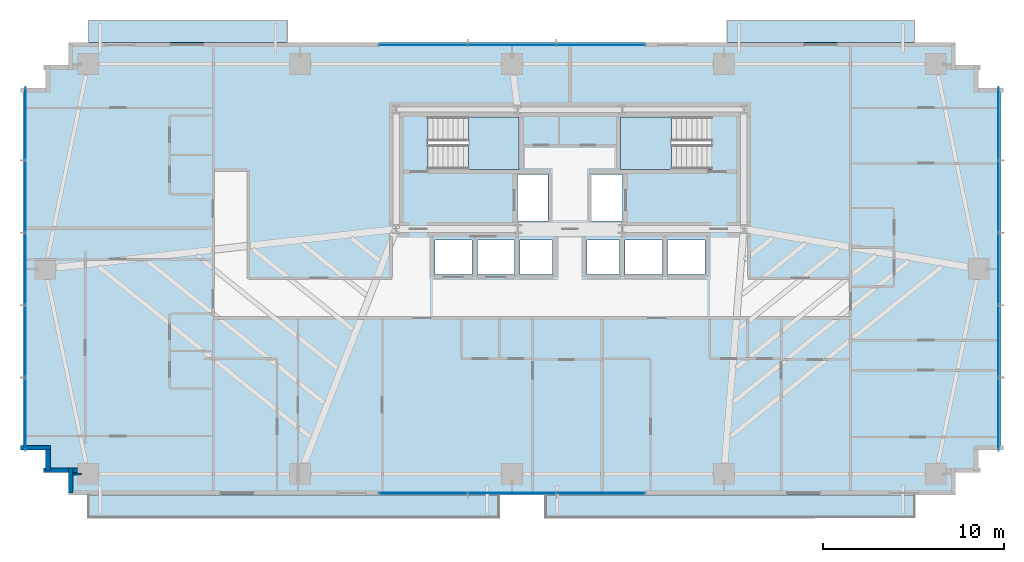
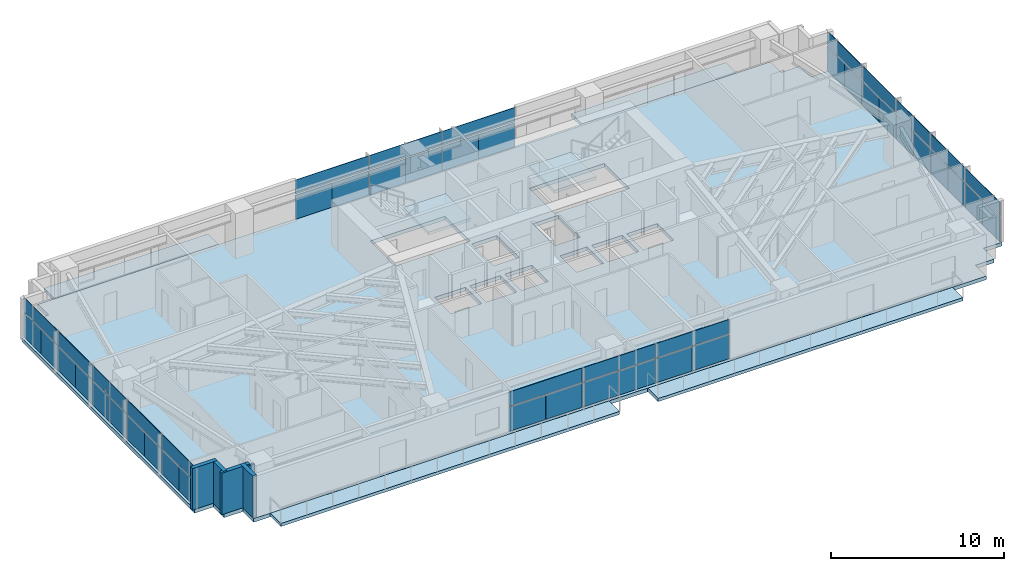
# One storey, part 18 of 25: 48 plates, 7 slabs, 5 walls, 6 elements without a shape of their own.
"""IFC4 building model written with IfcOpenShell, lengths in metres."""

from ifc_helpers import new_model, si_unit, direction, frame, frame_2d, origin, origin_2d, place, context, subcontext, project, spatial, polyline, rectangle, outline, extrude, source, transform, mapped, material, layer, layer_set, type_object, type_shapes, element, aggregate, save


model = new_model("IFC4")

# Units and contexts
model_context = context("Model", 3, precision=1e-05, world=origin(), true_north=direction((0.0, 1.0)))
body_context = subcontext(model_context, "Body", "Model", "MODEL_VIEW")
ifc_project = project(units=[si_unit("LENGTHUNIT", "METRE"), si_unit("AREAUNIT", "SQUARE_METRE"), si_unit("VOLUMEUNIT", "CUBIC_METRE"), si_unit("PLANEANGLEUNIT", "RADIAN"), si_unit("MASSUNIT", "GRAM", prefix="KILO")], contexts=[model_context])

# Site, building, storey
site_placement = place(None, origin())
site = spatial("IfcSite", under=ifc_project, at=site_placement, CompositionType="ELEMENT")
building_placement = place(site_placement, origin())
building = spatial("IfcBuilding", under=site, at=building_placement, Name="Astriad Promenade Condominiums", CompositionType="ELEMENT")
storey_placement = place(building_placement, frame((0.0, 0.0, 32.60009765625)))
storey = spatial("IfcBuildingStorey", under=building, at=storey_placement, Name="L08", CompositionType="ELEMENT", Elevation=32.60009765625)

# Slab
ifc_material_1 = material(Name="Concrete C50/60", Category="concrete")
ifc_layer_1 = layer(ifc_material_1, 0.260009765625)
ifc_layer_set_1 = layer_set([ifc_layer_1], Name="Concrete C50/60")
slab_type_1 = type_object("IfcSlabType", Name="CONCRETE TOWER FLOOR SLAB 260", PredefinedType="FLOOR", material=ifc_layer_set_1)
slab_1_placement = place(storey_placement, frame((0.0, 0.0, -0.260009765625)))
element("IfcSlab", 1, at=slab_1_placement, inside=storey, type_object=slab_type_1, Name="Structural Floor Slab (L08)", PredefinedType="FLOOR", context=body_context, shape_type="SweptSolid", body=[
    extrude(outline(polyline([(8.300048828125, 2.699951171875), (57.300048828125, 2.699951171875), (57.300048828125, 3.949951171875), (58.550048828125, 3.949951171875), (58.550048828125, 5.199951171875), (59.800048828125, 5.199951171875), (59.800048828125, 25.199951171875), (58.550048828125, 25.199951171875), (58.550048828125, 26.449951171875), (57.300048828125, 26.449951171875), (57.300048828125, 27.699951171875), (8.300048828125, 27.699951171875), (8.300048828125, 26.449951171875), (7.050048828125, 26.449951171875), (7.050048828125, 25.199951171875), (5.800048828125, 25.199951171875), (5.800048828125, 5.199951171875), (7.050048828125, 5.199951171875), (7.050048828125, 3.949951171875), (8.300048828125, 3.949951171875), (8.300048828125, 2.699951171875)]), holes=[polyline([(28.175048828125, 20.699951171875), (33.175048828125, 20.699951171875), (33.175048828125, 23.60009765625), (28.175048828125, 23.60009765625), (28.175048828125, 20.699951171875)]), polyline([(38.824951171875, 20.699951171875), (43.824951171875, 20.699951171875), (43.824951171875, 23.60009765625), (38.824951171875, 23.60009765625), (38.824951171875, 20.699951171875)]), polyline([(33.10009765625, 17.85009765625), (34.800048828125, 17.85009765625), (34.800048828125, 20.39990234375), (33.10009765625, 20.39990234375), (33.10009765625, 17.85009765625)]), polyline([(37.199951171875, 17.85009765625), (38.89990234375, 17.85009765625), (38.89990234375, 20.39990234375), (37.199951171875, 20.39990234375), (37.199951171875, 17.85009765625)]), polyline([(28.550048828125, 14.89990234375), (30.60009765625, 14.89990234375), (30.60009765625, 16.800048828125), (28.550048828125, 16.800048828125), (28.550048828125, 14.89990234375)]), polyline([(30.89990234375, 14.89990234375), (32.949951171875, 14.89990234375), (32.949951171875, 16.800048828125), (30.89990234375, 16.800048828125), (30.89990234375, 14.89990234375)]), polyline([(33.25, 14.89990234375), (35.050048828125, 14.89990234375), (35.050048828125, 16.800048828125), (33.25, 16.800048828125), (33.25, 14.89990234375)]), polyline([(36.949951171875, 14.89990234375), (38.75, 14.89990234375), (38.75, 16.800048828125), (36.949951171875, 16.800048828125), (36.949951171875, 14.89990234375)]), polyline([(39.050048828125, 14.89990234375), (41.10009765625, 14.89990234375), (41.10009765625, 16.800048828125), (39.050048828125, 16.800048828125), (39.050048828125, 14.89990234375)]), polyline([(41.39990234375, 14.89990234375), (43.449951171875, 14.89990234375), (43.449951171875, 16.800048828125), (41.39990234375, 16.800048828125), (41.39990234375, 14.89990234375)])]), origin(), (0.0, 0.0, 1.0), 0.260009765625),
])

# Stair, slab
stair_type = type_object("IfcStairType", Name="STR-CORE-1350", PredefinedType="HALF_TURN_STAIR", material=ifc_material_1)
stair_1_placement = place(storey_placement, origin())
stair_1 = element("IfcStair", 2, at=stair_1_placement, inside=storey, type_object=stair_type, Name="L08 Enclosed Core Exit Stair ST-1", PredefinedType="HALF_TURN_STAIR")
ifc_layer_2 = layer(ifc_material_1, 0.219970703125)
ifc_layer_set_2 = layer_set([ifc_layer_2], Name="Concrete C50/60")
slab_type_2 = type_object("IfcSlabType", Name="SLB-LANDING-220", PredefinedType="LANDING", material=ifc_layer_set_2)
slab_2_placement = place(storey_placement, frame((0.0, 0.0, 1.39990234375)))
slab_2 = element("IfcSlab", 3, at=slab_2_placement, type_object=slab_type_2, Name="ST-1 landing 1", PredefinedType="LANDING", context=body_context, shape_type="SweptSolid", body=[
    extrude(outline(polyline([(30.389892578125, 20.699951171875), (33.199951171875, 20.699951171875), (33.199951171875, 23.60009765625), (30.389892578125, 23.60009765625), (30.389892578125, 20.699951171875)])), origin(), (0.0, 0.0, 1.0), 0.199951171875),
])
aggregate(stair_1, [slab_2])

stair_2_placement = place(storey_placement, origin())
stair_2 = element("IfcStair", 4, at=stair_2_placement, inside=storey, type_object=stair_type, Name="L08 Enclosed Core Exit Stair ST-2", PredefinedType="HALF_TURN_STAIR")
slab_3_placement = place(storey_placement, frame((0.0, 0.0, 1.39990234375)))
slab_3 = element("IfcSlab", 5, at=slab_3_placement, type_object=slab_type_2, Name="ST-2 landing 1", PredefinedType="LANDING", context=body_context, shape_type="SweptSolid", body=[
    extrude(outline(polyline([(41.610107421875, 23.60009765625), (38.800048828125, 23.60009765625), (38.800048828125, 20.699951171875), (41.610107421875, 20.699951171875), (41.610107421875, 23.60009765625)])), origin(), (0.0, 0.0, 1.0), 0.199951171875),
])
aggregate(stair_2, [slab_3])

# Slabs
ifc_material_2 = material(Name="Precast concrete C50/60", Category="concrete")
ifc_layer_3 = layer(ifc_material_2, 0.219970703125)
ifc_layer_set_3 = layer_set([ifc_layer_3], Name="Precast concrete C50/60")
slab_type_3 = type_object("IfcSlabType", Name="WHITE PRECAST CONCRETE WAVE BALCONY SLAB 220", PredefinedType="FLOOR", material=ifc_layer_set_3)
slab_4_placement = place(storey_placement, frame((0.0, 0.0, -0.22021484375)))
element("IfcSlab", 6, at=slab_4_placement, inside=storey, type_object=slab_type_3, Name="White Precast Wave Balcony Slab BAL-L08-SW", PredefinedType="FLOOR", context=body_context, shape_type="SweptSolid", body=[
    extrude(outline(polyline([(32.077880859375, 1.47998046875), (9.4140625, 1.47998046875), (9.4140625, 2.697998046875), (32.077880859375, 2.697998046875), (32.077880859375, 1.47998046875)])), origin(), (0.0, 0.0, 1.0), 0.22021484375),
])
slab_5_placement = place(storey_placement, frame((0.0, 0.0, -0.22021484375)))
element("IfcSlab", 7, at=slab_5_placement, inside=storey, type_object=slab_type_3, Name="White Precast Wave Balcony Slab BAL-L08-SE", PredefinedType="FLOOR", context=body_context, shape_type="SweptSolid", body=[
    extrude(outline(polyline([(55.027099609375, 1.47998046875), (34.656005859375, 1.47998046875), (34.656005859375, 2.697998046875), (55.027099609375, 2.697998046875), (55.027099609375, 1.47998046875)])), origin(), (0.0, 0.0, 1.0), 0.22021484375),
])
slab_6_placement = place(storey_placement, frame((0.0, 0.0, -0.22021484375)))
element("IfcSlab", 8, at=slab_6_placement, inside=storey, type_object=slab_type_3, Name="White Precast Wave Balcony Slab BAL-L08-NW", PredefinedType="FLOOR", context=body_context, shape_type="SweptSolid", body=[
    extrude(outline(polyline([(9.4140625, 28.919921875), (20.389892578125, 28.919921875), (20.389892578125, 27.701904296875), (9.4140625, 27.701904296875), (9.4140625, 28.919921875)])), origin(), (0.0, 0.0, 1.0), 0.22021484375),
])
slab_7_placement = place(storey_placement, frame((0.0, 0.0, -0.22021484375)))
element("IfcSlab", 9, at=slab_7_placement, inside=storey, type_object=slab_type_3, Name="White Precast Wave Balcony Slab BAL-L08-NE", PredefinedType="FLOOR", context=body_context, shape_type="SweptSolid", body=[
    extrude(outline(polyline([(44.679931640625, 28.919921875), (55.027099609375, 28.919921875), (55.027099609375, 27.701904296875), (44.679931640625, 27.701904296875), (44.679931640625, 28.919921875)])), origin(), (0.0, 0.0, 1.0), 0.22021484375),
])

# Curtain wall, plates
ifc_material_3 = material(Name="Anodised aluminium Black Dark Glass Unitised", Category="aluminium")
curtain_wall_type = type_object("IfcCurtainWallType", Name="CW-B1-DARK", PredefinedType="USERDEFINED", material=ifc_material_3)
curtain_wall_1_placement = place(storey_placement, origin())
curtain_wall_1 = element("IfcCurtainWall", 10, at=curtain_wall_1_placement, inside=storey, type_object=curtain_wall_type, Name="CW-L08-W", ObjectType="UNITISED_CURTAIN_WALL", PredefinedType="USERDEFINED")
ifc_material_4 = material(Name="Dark Tinted Low-E Laminated Glass", Category="glass")
ifc_layer_4 = layer(ifc_material_4, 0.035888671875)
ifc_layer_set_4 = layer_set([ifc_layer_4], Name="Dark Tinted Low-E Laminated Glass")
plate_type = type_object("IfcPlateType", Name="PNL-DARK-GLASS-36", PredefinedType="CURTAIN_PANEL", material=ifc_layer_set_4)
shared_shape_1 = source(origin(), body_context, "Body", "SweptSolid", [
    extrude(rectangle(XDim=1.988037109375, YDim=0.035888671875, at=origin_2d()), origin(), (0.0, 0.0, 1.0), 1.702880859375),
])
plate_1_placement = place(storey_placement, frame((5.929931640625, 6.199951171875, 0.080078125), z_axis=(0.0, 0.0, 1.0), x_axis=(0.0, 1.0, 0.0)))
plate_1 = element("IfcPlate", 11, at=plate_1_placement, type_object=plate_type, Name="CW-L08-W-PNL-00-VL", PredefinedType="CURTAIN_PANEL", context=body_context, shape_type="MappedRepresentation", body=[
    mapped(shared_shape_1, transform((0.0, 0.0, 0.0), scale=1.0)),
])
plate_2_placement = place(storey_placement, frame((5.929931640625, 8.199951171875, 0.080078125), z_axis=(0.0, 0.0, 1.0), x_axis=(0.0, 1.0, 0.0)))
plate_2 = element("IfcPlate", 12, at=plate_2_placement, type_object=plate_type, Name="CW-L08-W-PNL-00-VR", PredefinedType="CURTAIN_PANEL", context=body_context, shape_type="MappedRepresentation", body=[
    mapped(shared_shape_1, transform((0.0, 0.0, 0.0), scale=1.0)),
])
plate_3_placement = place(storey_placement, frame((5.929931640625, 10.199951171875, 0.080078125), z_axis=(0.0, 0.0, 1.0), x_axis=(0.0, 1.0, 0.0)))
plate_3 = element("IfcPlate", 13, at=plate_3_placement, type_object=plate_type, Name="CW-L08-W-PNL-01-VL", PredefinedType="CURTAIN_PANEL", context=body_context, shape_type="MappedRepresentation", body=[
    mapped(shared_shape_1, transform((0.0, 0.0, 0.0), scale=1.0)),
])
plate_4_placement = place(storey_placement, frame((5.929931640625, 12.199951171875, 0.080078125), z_axis=(0.0, 0.0, 1.0), x_axis=(0.0, 1.0, 0.0)))
plate_4 = element("IfcPlate", 14, at=plate_4_placement, type_object=plate_type, Name="CW-L08-W-PNL-01-VR", PredefinedType="CURTAIN_PANEL", context=body_context, shape_type="MappedRepresentation", body=[
    mapped(shared_shape_1, transform((0.0, 0.0, 0.0), scale=1.0)),
])
plate_5_placement = place(storey_placement, frame((5.929931640625, 14.199951171875, 0.080078125), z_axis=(0.0, 0.0, 1.0), x_axis=(0.0, 1.0, 0.0)))
plate_5 = element("IfcPlate", 15, at=plate_5_placement, type_object=plate_type, Name="CW-L08-W-PNL-02-VL", PredefinedType="CURTAIN_PANEL", context=body_context, shape_type="MappedRepresentation", body=[
    mapped(shared_shape_1, transform((0.0, 0.0, 0.0), scale=1.0)),
])
plate_6_placement = place(storey_placement, frame((5.929931640625, 16.199951171875, 0.080078125), z_axis=(0.0, 0.0, 1.0), x_axis=(0.0, 1.0, 0.0)))
plate_6 = element("IfcPlate", 16, at=plate_6_placement, type_object=plate_type, Name="CW-L08-W-PNL-02-VR", PredefinedType="CURTAIN_PANEL", context=body_context, shape_type="MappedRepresentation", body=[
    mapped(shared_shape_1, transform((0.0, 0.0, 0.0), scale=1.0)),
])
plate_7_placement = place(storey_placement, frame((5.929931640625, 18.199951171875, 0.080078125), z_axis=(0.0, 0.0, 1.0), x_axis=(0.0, 1.0, 0.0)))
plate_7 = element("IfcPlate", 17, at=plate_7_placement, type_object=plate_type, Name="CW-L08-W-PNL-03-VL", PredefinedType="CURTAIN_PANEL", context=body_context, shape_type="MappedRepresentation", body=[
    mapped(shared_shape_1, transform((0.0, 0.0, 0.0), scale=1.0)),
])
plate_8_placement = place(storey_placement, frame((5.929931640625, 20.199951171875, 0.080078125), z_axis=(0.0, 0.0, 1.0), x_axis=(0.0, 1.0, 0.0)))
plate_8 = element("IfcPlate", 18, at=plate_8_placement, type_object=plate_type, Name="CW-L08-W-PNL-03-VR", PredefinedType="CURTAIN_PANEL", context=body_context, shape_type="MappedRepresentation", body=[
    mapped(shared_shape_1, transform((0.0, 0.0, 0.0), scale=1.0)),
])
plate_9_placement = place(storey_placement, frame((5.929931640625, 22.199951171875, 0.080078125), z_axis=(0.0, 0.0, 1.0), x_axis=(0.0, 1.0, 0.0)))
plate_9 = element("IfcPlate", 19, at=plate_9_placement, type_object=plate_type, Name="CW-L08-W-PNL-04-VL", PredefinedType="CURTAIN_PANEL", context=body_context, shape_type="MappedRepresentation", body=[
    mapped(shared_shape_1, transform((0.0, 0.0, 0.0), scale=1.0)),
])
plate_10_placement = place(storey_placement, frame((5.929931640625, 24.199951171875, 0.080078125), z_axis=(0.0, 0.0, 1.0), x_axis=(0.0, 1.0, 0.0)))
plate_10 = element("IfcPlate", 20, at=plate_10_placement, type_object=plate_type, Name="CW-L08-W-PNL-04-VR", PredefinedType="CURTAIN_PANEL", context=body_context, shape_type="MappedRepresentation", body=[
    mapped(shared_shape_1, transform((0.0, 0.0, 0.0), scale=1.0)),
])

curtain_wall_2_placement = place(storey_placement, origin())
curtain_wall_2 = element("IfcCurtainWall", 21, at=curtain_wall_2_placement, inside=storey, type_object=curtain_wall_type, Name="CW-L08-E", ObjectType="UNITISED_CURTAIN_WALL", PredefinedType="USERDEFINED")
plate_11_placement = place(storey_placement, frame((59.669921875, 24.199951171875, 0.080078125), z_axis=(0.0, 0.0, 1.0), x_axis=(0.0, -1.0, 0.0)))
plate_11 = element("IfcPlate", 22, at=plate_11_placement, type_object=plate_type, Name="CW-L08-E-PNL-00-VL", PredefinedType="CURTAIN_PANEL", context=body_context, shape_type="MappedRepresentation", body=[
    mapped(shared_shape_1, transform((0.0, 0.0, 0.0), scale=1.0)),
])
plate_12_placement = place(storey_placement, frame((59.669921875, 22.199951171875, 0.080078125), z_axis=(0.0, 0.0, 1.0), x_axis=(0.0, -1.0, 0.0)))
plate_12 = element("IfcPlate", 23, at=plate_12_placement, type_object=plate_type, Name="CW-L08-E-PNL-00-VR", PredefinedType="CURTAIN_PANEL", context=body_context, shape_type="MappedRepresentation", body=[
    mapped(shared_shape_1, transform((0.0, 0.0, 0.0), scale=1.0)),
])
plate_13_placement = place(storey_placement, frame((59.669921875, 20.199951171875, 0.080078125), z_axis=(0.0, 0.0, 1.0), x_axis=(0.0, -1.0, 0.0)))
plate_13 = element("IfcPlate", 24, at=plate_13_placement, type_object=plate_type, Name="CW-L08-E-PNL-01-VL", PredefinedType="CURTAIN_PANEL", context=body_context, shape_type="MappedRepresentation", body=[
    mapped(shared_shape_1, transform((0.0, 0.0, 0.0), scale=1.0)),
])
plate_14_placement = place(storey_placement, frame((59.669921875, 18.199951171875, 0.080078125), z_axis=(0.0, 0.0, 1.0), x_axis=(0.0, -1.0, 0.0)))
plate_14 = element("IfcPlate", 25, at=plate_14_placement, type_object=plate_type, Name="CW-L08-E-PNL-01-VR", PredefinedType="CURTAIN_PANEL", context=body_context, shape_type="MappedRepresentation", body=[
    mapped(shared_shape_1, transform((0.0, 0.0, 0.0), scale=1.0)),
])
plate_15_placement = place(storey_placement, frame((59.669921875, 16.199951171875, 0.080078125), z_axis=(0.0, 0.0, 1.0), x_axis=(0.0, -1.0, 0.0)))
plate_15 = element("IfcPlate", 26, at=plate_15_placement, type_object=plate_type, Name="CW-L08-E-PNL-02-VL", PredefinedType="CURTAIN_PANEL", context=body_context, shape_type="MappedRepresentation", body=[
    mapped(shared_shape_1, transform((0.0, 0.0, 0.0), scale=1.0)),
])
plate_16_placement = place(storey_placement, frame((59.669921875, 14.199951171875, 0.080078125), z_axis=(0.0, 0.0, 1.0), x_axis=(0.0, -1.0, 0.0)))
plate_16 = element("IfcPlate", 27, at=plate_16_placement, type_object=plate_type, Name="CW-L08-E-PNL-02-VR", PredefinedType="CURTAIN_PANEL", context=body_context, shape_type="MappedRepresentation", body=[
    mapped(shared_shape_1, transform((0.0, 0.0, 0.0), scale=1.0)),
])
plate_17_placement = place(storey_placement, frame((59.669921875, 12.199951171875, 0.080078125), z_axis=(0.0, 0.0, 1.0), x_axis=(0.0, -1.0, 0.0)))
plate_17 = element("IfcPlate", 28, at=plate_17_placement, type_object=plate_type, Name="CW-L08-E-PNL-03-VL", PredefinedType="CURTAIN_PANEL", context=body_context, shape_type="MappedRepresentation", body=[
    mapped(shared_shape_1, transform((0.0, 0.0, 0.0), scale=1.0)),
])
plate_18_placement = place(storey_placement, frame((59.669921875, 10.199951171875, 0.080078125), z_axis=(0.0, 0.0, 1.0), x_axis=(0.0, -1.0, 0.0)))
plate_18 = element("IfcPlate", 29, at=plate_18_placement, type_object=plate_type, Name="CW-L08-E-PNL-03-VR", PredefinedType="CURTAIN_PANEL", context=body_context, shape_type="MappedRepresentation", body=[
    mapped(shared_shape_1, transform((0.0, 0.0, 0.0), scale=1.0)),
])
plate_19_placement = place(storey_placement, frame((59.669921875, 8.199951171875, 0.080078125), z_axis=(0.0, 0.0, 1.0), x_axis=(0.0, -1.0, 0.0)))
plate_19 = element("IfcPlate", 30, at=plate_19_placement, type_object=plate_type, Name="CW-L08-E-PNL-04-VL", PredefinedType="CURTAIN_PANEL", context=body_context, shape_type="MappedRepresentation", body=[
    mapped(shared_shape_1, transform((0.0, 0.0, 0.0), scale=1.0)),
])
plate_20_placement = place(storey_placement, frame((59.669921875, 6.199951171875, 0.080078125), z_axis=(0.0, 0.0, 1.0), x_axis=(0.0, -1.0, 0.0)))
plate_20 = element("IfcPlate", 31, at=plate_20_placement, type_object=plate_type, Name="CW-L08-E-PNL-04-VR", PredefinedType="CURTAIN_PANEL", context=body_context, shape_type="MappedRepresentation", body=[
    mapped(shared_shape_1, transform((0.0, 0.0, 0.0), scale=1.0)),
])

# Plate
shared_shape_2 = source(origin(), body_context, "Body", "SweptSolid", [
    extrude(rectangle(XDim=3.988037109375, YDim=0.035888671875, at=origin_2d()), origin(), (0.0, 0.0, 1.0), 0.997314453125),
])
plate_21_placement = place(storey_placement, frame((5.929931640625, 7.199951171875, 1.86279296875), z_axis=(0.0, 0.0, 1.0), x_axis=(0.0, 1.0, 0.0)))
plate_21 = element("IfcPlate", 32, at=plate_21_placement, type_object=plate_type, Name="CW-L08-W-PNL-00-S", PredefinedType="CURTAIN_PANEL", context=body_context, shape_type="MappedRepresentation", body=[
    mapped(shared_shape_2, transform((0.0, 0.0, 0.0), scale=1.0)),
])

plate_22_placement = place(storey_placement, frame((5.929931640625, 11.199951171875, 1.86279296875), z_axis=(0.0, 0.0, 1.0), x_axis=(0.0, 1.0, 0.0)))
plate_22 = element("IfcPlate", 33, at=plate_22_placement, type_object=plate_type, Name="CW-L08-W-PNL-01-S", PredefinedType="CURTAIN_PANEL", context=body_context, shape_type="MappedRepresentation", body=[
    mapped(shared_shape_2, transform((0.0, 0.0, 0.0), scale=1.0)),
])

plate_23_placement = place(storey_placement, frame((5.929931640625, 15.199951171875, 1.86279296875), z_axis=(0.0, 0.0, 1.0), x_axis=(0.0, 1.0, 0.0)))
plate_23 = element("IfcPlate", 34, at=plate_23_placement, type_object=plate_type, Name="CW-L08-W-PNL-02-S", PredefinedType="CURTAIN_PANEL", context=body_context, shape_type="MappedRepresentation", body=[
    mapped(shared_shape_2, transform((0.0, 0.0, 0.0), scale=1.0)),
])

plate_24_placement = place(storey_placement, frame((5.929931640625, 19.199951171875, 1.86279296875), z_axis=(0.0, 0.0, 1.0), x_axis=(0.0, 1.0, 0.0)))
plate_24 = element("IfcPlate", 35, at=plate_24_placement, type_object=plate_type, Name="CW-L08-W-PNL-03-S", PredefinedType="CURTAIN_PANEL", context=body_context, shape_type="MappedRepresentation", body=[
    mapped(shared_shape_2, transform((0.0, 0.0, 0.0), scale=1.0)),
])

plate_25_placement = place(storey_placement, frame((5.929931640625, 23.199951171875, 1.86279296875), z_axis=(0.0, 0.0, 1.0), x_axis=(0.0, 1.0, 0.0)))
plate_25 = element("IfcPlate", 36, at=plate_25_placement, type_object=plate_type, Name="CW-L08-W-PNL-04-S", PredefinedType="CURTAIN_PANEL", context=body_context, shape_type="MappedRepresentation", body=[
    mapped(shared_shape_2, transform((0.0, 0.0, 0.0), scale=1.0)),
])

aggregate(curtain_wall_1, [plate_1, plate_2, plate_21, plate_3, plate_4, plate_22, plate_5, plate_6, plate_23, plate_7, plate_8, plate_24, plate_9, plate_10, plate_25])

plate_26_placement = place(storey_placement, frame((59.669921875, 23.199951171875, 1.86279296875), z_axis=(0.0, 0.0, 1.0), x_axis=(0.0, -1.0, 0.0)))
plate_26 = element("IfcPlate", 37, at=plate_26_placement, type_object=plate_type, Name="CW-L08-E-PNL-00-S", PredefinedType="CURTAIN_PANEL", context=body_context, shape_type="MappedRepresentation", body=[
    mapped(shared_shape_2, transform((0.0, 0.0, 0.0), scale=1.0)),
])

plate_27_placement = place(storey_placement, frame((59.669921875, 19.199951171875, 1.86279296875), z_axis=(0.0, 0.0, 1.0), x_axis=(0.0, -1.0, 0.0)))
plate_27 = element("IfcPlate", 38, at=plate_27_placement, type_object=plate_type, Name="CW-L08-E-PNL-01-S", PredefinedType="CURTAIN_PANEL", context=body_context, shape_type="MappedRepresentation", body=[
    mapped(shared_shape_2, transform((0.0, 0.0, 0.0), scale=1.0)),
])

plate_28_placement = place(storey_placement, frame((59.669921875, 15.199951171875, 1.86279296875), z_axis=(0.0, 0.0, 1.0), x_axis=(0.0, -1.0, 0.0)))
plate_28 = element("IfcPlate", 39, at=plate_28_placement, type_object=plate_type, Name="CW-L08-E-PNL-02-S", PredefinedType="CURTAIN_PANEL", context=body_context, shape_type="MappedRepresentation", body=[
    mapped(shared_shape_2, transform((0.0, 0.0, 0.0), scale=1.0)),
])

plate_29_placement = place(storey_placement, frame((59.669921875, 11.199951171875, 1.86279296875), z_axis=(0.0, 0.0, 1.0), x_axis=(0.0, -1.0, 0.0)))
plate_29 = element("IfcPlate", 40, at=plate_29_placement, type_object=plate_type, Name="CW-L08-E-PNL-03-S", PredefinedType="CURTAIN_PANEL", context=body_context, shape_type="MappedRepresentation", body=[
    mapped(shared_shape_2, transform((0.0, 0.0, 0.0), scale=1.0)),
])

plate_30_placement = place(storey_placement, frame((59.669921875, 7.199951171875, 1.86279296875), z_axis=(0.0, 0.0, 1.0), x_axis=(0.0, -1.0, 0.0)))
plate_30 = element("IfcPlate", 41, at=plate_30_placement, type_object=plate_type, Name="CW-L08-E-PNL-04-S", PredefinedType="CURTAIN_PANEL", context=body_context, shape_type="MappedRepresentation", body=[
    mapped(shared_shape_2, transform((0.0, 0.0, 0.0), scale=1.0)),
])

aggregate(curtain_wall_2, [plate_11, plate_12, plate_26, plate_13, plate_14, plate_27, plate_15, plate_16, plate_28, plate_17, plate_18, plate_29, plate_19, plate_20, plate_30])

# Curtain wall, plates
curtain_wall_3_placement = place(storey_placement, origin())
curtain_wall_3 = element("IfcCurtainWall", 42, at=curtain_wall_3_placement, inside=storey, type_object=curtain_wall_type, Name="CW-L08-N", ObjectType="UNITISED_CURTAIN_WALL", PredefinedType="USERDEFINED")
shared_shape_3 = source(origin(), body_context, "Body", "SweptSolid", [
    extrude(rectangle(XDim=2.43798828125, YDim=0.035888671875, at=origin_2d()), origin(), (0.0, 0.0, 1.0), 1.702880859375),
])
plate_31_placement = place(storey_placement, frame((26.675048828125, 27.570068359375, 0.080078125), z_axis=(0.0, 0.0, 1.0), x_axis=(1.0, 0.0, 0.0)))
plate_31 = element("IfcPlate", 43, at=plate_31_placement, type_object=plate_type, Name="CW-L08-N-PNL-00-VL", PredefinedType="CURTAIN_PANEL", context=body_context, shape_type="MappedRepresentation", body=[
    mapped(shared_shape_3, transform((0.0, 0.0, 0.0), scale=1.0)),
])
plate_32_placement = place(storey_placement, frame((29.125, 27.570068359375, 0.080078125), z_axis=(0.0, 0.0, 1.0), x_axis=(1.0, 0.0, 0.0)))
plate_32 = element("IfcPlate", 44, at=plate_32_placement, type_object=plate_type, Name="CW-L08-N-PNL-00-VR", PredefinedType="CURTAIN_PANEL", context=body_context, shape_type="MappedRepresentation", body=[
    mapped(shared_shape_3, transform((0.0, 0.0, 0.0), scale=1.0)),
])
plate_33_placement = place(storey_placement, frame((31.574951171875, 27.570068359375, 0.080078125), z_axis=(0.0, 0.0, 1.0), x_axis=(1.0, 0.0, 0.0)))
plate_33 = element("IfcPlate", 45, at=plate_33_placement, type_object=plate_type, Name="CW-L08-N-PNL-01-VL", PredefinedType="CURTAIN_PANEL", context=body_context, shape_type="MappedRepresentation", body=[
    mapped(shared_shape_3, transform((0.0, 0.0, 0.0), scale=1.0)),
])
plate_34_placement = place(storey_placement, frame((34.02490234375, 27.570068359375, 0.080078125), z_axis=(0.0, 0.0, 1.0), x_axis=(1.0, 0.0, 0.0)))
plate_34 = element("IfcPlate", 46, at=plate_34_placement, type_object=plate_type, Name="CW-L08-N-PNL-01-VR", PredefinedType="CURTAIN_PANEL", context=body_context, shape_type="MappedRepresentation", body=[
    mapped(shared_shape_3, transform((0.0, 0.0, 0.0), scale=1.0)),
])
plate_35_placement = place(storey_placement, frame((36.47509765625, 27.570068359375, 0.080078125), z_axis=(0.0, 0.0, 1.0), x_axis=(1.0, 0.0, 0.0)))
plate_35 = element("IfcPlate", 47, at=plate_35_placement, type_object=plate_type, Name="CW-L08-N-PNL-02-VL", PredefinedType="CURTAIN_PANEL", context=body_context, shape_type="MappedRepresentation", body=[
    mapped(shared_shape_3, transform((0.0, 0.0, 0.0), scale=1.0)),
])
plate_36_placement = place(storey_placement, frame((38.925048828125, 27.570068359375, 0.080078125), z_axis=(0.0, 0.0, 1.0), x_axis=(1.0, 0.0, 0.0)))
plate_36 = element("IfcPlate", 48, at=plate_36_placement, type_object=plate_type, Name="CW-L08-N-PNL-02-VR", PredefinedType="CURTAIN_PANEL", context=body_context, shape_type="MappedRepresentation", body=[
    mapped(shared_shape_3, transform((0.0, 0.0, 0.0), scale=1.0)),
])

curtain_wall_4_placement = place(storey_placement, origin())
curtain_wall_4 = element("IfcCurtainWall", 49, at=curtain_wall_4_placement, inside=storey, type_object=curtain_wall_type, Name="CW-L08-S", ObjectType="UNITISED_CURTAIN_WALL", PredefinedType="USERDEFINED")
plate_37_placement = place(storey_placement, frame((38.925048828125, 2.830078125, 0.080078125), z_axis=(0.0, 0.0, 1.0), x_axis=(-1.0, 0.0, 0.0)))
plate_37 = element("IfcPlate", 50, at=plate_37_placement, type_object=plate_type, Name="CW-L08-S-PNL-00-VL", PredefinedType="CURTAIN_PANEL", context=body_context, shape_type="MappedRepresentation", body=[
    mapped(shared_shape_3, transform((0.0, 0.0, 0.0), scale=1.0)),
])
plate_38_placement = place(storey_placement, frame((36.47509765625, 2.830078125, 0.080078125), z_axis=(0.0, 0.0, 1.0), x_axis=(-1.0, 0.0, 0.0)))
plate_38 = element("IfcPlate", 51, at=plate_38_placement, type_object=plate_type, Name="CW-L08-S-PNL-00-VR", PredefinedType="CURTAIN_PANEL", context=body_context, shape_type="MappedRepresentation", body=[
    mapped(shared_shape_3, transform((0.0, 0.0, 0.0), scale=1.0)),
])
plate_39_placement = place(storey_placement, frame((34.02490234375, 2.830078125, 0.080078125), z_axis=(0.0, 0.0, 1.0), x_axis=(-1.0, 0.0, 0.0)))
plate_39 = element("IfcPlate", 52, at=plate_39_placement, type_object=plate_type, Name="CW-L08-S-PNL-01-VL", PredefinedType="CURTAIN_PANEL", context=body_context, shape_type="MappedRepresentation", body=[
    mapped(shared_shape_3, transform((0.0, 0.0, 0.0), scale=1.0)),
])
plate_40_placement = place(storey_placement, frame((31.574951171875, 2.830078125, 0.080078125), z_axis=(0.0, 0.0, 1.0), x_axis=(-1.0, 0.0, 0.0)))
plate_40 = element("IfcPlate", 53, at=plate_40_placement, type_object=plate_type, Name="CW-L08-S-PNL-01-VR", PredefinedType="CURTAIN_PANEL", context=body_context, shape_type="MappedRepresentation", body=[
    mapped(shared_shape_3, transform((0.0, 0.0, 0.0), scale=1.0)),
])
plate_41_placement = place(storey_placement, frame((29.125, 2.830078125, 0.080078125), z_axis=(0.0, 0.0, 1.0), x_axis=(-1.0, 0.0, 0.0)))
plate_41 = element("IfcPlate", 54, at=plate_41_placement, type_object=plate_type, Name="CW-L08-S-PNL-02-VL", PredefinedType="CURTAIN_PANEL", context=body_context, shape_type="MappedRepresentation", body=[
    mapped(shared_shape_3, transform((0.0, 0.0, 0.0), scale=1.0)),
])
plate_42_placement = place(storey_placement, frame((26.675048828125, 2.830078125, 0.080078125), z_axis=(0.0, 0.0, 1.0), x_axis=(-1.0, 0.0, 0.0)))
plate_42 = element("IfcPlate", 55, at=plate_42_placement, type_object=plate_type, Name="CW-L08-S-PNL-02-VR", PredefinedType="CURTAIN_PANEL", context=body_context, shape_type="MappedRepresentation", body=[
    mapped(shared_shape_3, transform((0.0, 0.0, 0.0), scale=1.0)),
])

# Plate
shared_shape_4 = source(origin(), body_context, "Body", "SweptSolid", [
    extrude(rectangle(XDim=4.887939453125, YDim=0.035888671875, at=origin_2d()), origin(), (0.0, 0.0, 1.0), 0.997314453125),
])
type_shapes(plate_type, [shared_shape_1, shared_shape_2, shared_shape_3, shared_shape_4])
plate_43_placement = place(storey_placement, frame((27.89990234375, 27.570068359375, 1.86279296875), z_axis=(0.0, 0.0, 1.0), x_axis=(1.0, 0.0, 0.0)))
plate_43 = element("IfcPlate", 56, at=plate_43_placement, type_object=plate_type, Name="CW-L08-N-PNL-00-S", PredefinedType="CURTAIN_PANEL", context=body_context, shape_type="MappedRepresentation", body=[
    mapped(shared_shape_4, transform((0.0, 0.0, 0.0), scale=1.0)),
])

plate_44_placement = place(storey_placement, frame((32.800048828125, 27.570068359375, 1.86279296875), z_axis=(0.0, 0.0, 1.0), x_axis=(1.0, 0.0, 0.0)))
plate_44 = element("IfcPlate", 57, at=plate_44_placement, type_object=plate_type, Name="CW-L08-N-PNL-01-S", PredefinedType="CURTAIN_PANEL", context=body_context, shape_type="MappedRepresentation", body=[
    mapped(shared_shape_4, transform((0.0, 0.0, 0.0), scale=1.0)),
])

plate_45_placement = place(storey_placement, frame((37.699951171875, 27.570068359375, 1.86279296875), z_axis=(0.0, 0.0, 1.0), x_axis=(1.0, 0.0, 0.0)))
plate_45 = element("IfcPlate", 58, at=plate_45_placement, type_object=plate_type, Name="CW-L08-N-PNL-02-S", PredefinedType="CURTAIN_PANEL", context=body_context, shape_type="MappedRepresentation", body=[
    mapped(shared_shape_4, transform((0.0, 0.0, 0.0), scale=1.0)),
])

aggregate(curtain_wall_3, [plate_31, plate_32, plate_43, plate_33, plate_34, plate_44, plate_35, plate_36, plate_45])

plate_46_placement = place(storey_placement, frame((37.699951171875, 2.830078125, 1.86279296875), z_axis=(0.0, 0.0, 1.0), x_axis=(-1.0, 0.0, 0.0)))
plate_46 = element("IfcPlate", 59, at=plate_46_placement, type_object=plate_type, Name="CW-L08-S-PNL-00-S", PredefinedType="CURTAIN_PANEL", context=body_context, shape_type="MappedRepresentation", body=[
    mapped(shared_shape_4, transform((0.0, 0.0, 0.0), scale=1.0)),
])

plate_47_placement = place(storey_placement, frame((32.800048828125, 2.830078125, 1.86279296875), z_axis=(0.0, 0.0, 1.0), x_axis=(-1.0, 0.0, 0.0)))
plate_47 = element("IfcPlate", 60, at=plate_47_placement, type_object=plate_type, Name="CW-L08-S-PNL-01-S", PredefinedType="CURTAIN_PANEL", context=body_context, shape_type="MappedRepresentation", body=[
    mapped(shared_shape_4, transform((0.0, 0.0, 0.0), scale=1.0)),
])

plate_48_placement = place(storey_placement, frame((27.89990234375, 2.830078125, 1.86279296875), z_axis=(0.0, 0.0, 1.0), x_axis=(-1.0, 0.0, 0.0)))
plate_48 = element("IfcPlate", 61, at=plate_48_placement, type_object=plate_type, Name="CW-L08-S-PNL-02-S", PredefinedType="CURTAIN_PANEL", context=body_context, shape_type="MappedRepresentation", body=[
    mapped(shared_shape_4, transform((0.0, 0.0, 0.0), scale=1.0)),
])

aggregate(curtain_wall_4, [plate_37, plate_38, plate_46, plate_39, plate_40, plate_47, plate_41, plate_42, plate_48])

# Walls
ifc_layer_5 = layer(ifc_material_2, 0.260009765625)
ifc_layer_set_5 = layer_set([ifc_layer_5], Name="Precast concrete C50/60")
wall_type_1 = type_object("IfcWallType", Name="WALL-EXT-TWR-260", PredefinedType="STANDARD", material=ifc_layer_set_5)
wall_1_placement = place(storey_placement, frame((8.798095703125, 4.080078125, 0.0), z_axis=(0.0, 0.0, 1.0), x_axis=(-1.0, 0.0, 0.0)))
element("IfcWall", 62, at=wall_1_placement, inside=storey, type_object=wall_type_1, Name="W-SER-L08-00", PredefinedType="STANDARD", context=body_context, shape_type="SweptSolid", body=[
    extrude(rectangle(XDim=1.878173828125, YDim=0.260009765625, at=frame_2d((0.93896484375, 0.0))), origin(), (0.0, 0.0, 1.0), 2.93994140625),
])
wall_2_placement = place(storey_placement, frame((7.179931640625, 4.06494140625, 0.0), z_axis=(0.0, 0.0, 1.0), x_axis=(0.0, 1.0, 0.0)))
element("IfcWall", 63, at=wall_2_placement, inside=storey, type_object=wall_type_1, Name="W-SER-L08-01", PredefinedType="STANDARD", context=body_context, shape_type="SweptSolid", body=[
    extrude(rectangle(XDim=1.150146484375, YDim=0.260009765625, at=frame_2d((0.5751953125, 0.0))), origin(), (0.0, 0.0, 1.0), 2.93994140625),
])
wall_3_placement = place(storey_placement, frame((7.31005859375, 5.330078125, 0.0), z_axis=(0.0, 0.0, 1.0), x_axis=(-1.0, 0.0, 0.0)))
element("IfcWall", 64, at=wall_3_placement, inside=storey, type_object=wall_type_1, Name="W-SER-L08-02", PredefinedType="STANDARD", context=body_context, shape_type="SweptSolid", body=[
    extrude(rectangle(XDim=1.64013671875, YDim=0.260009765625, at=frame_2d((0.820068359375, 0.0))), origin(), (0.0, 0.0, 1.0), 2.93994140625),
])
wall_4_placement = place(storey_placement, frame((8.429931640625, 2.81494140625, 0.0), z_axis=(0.0, 0.0, 1.0), x_axis=(0.0, 1.0, 0.0)))
element("IfcWall", 65, at=wall_4_placement, inside=storey, type_object=wall_type_1, Name="W-SER-L08-19", PredefinedType="STANDARD", context=body_context, shape_type="SweptSolid", body=[
    extrude(rectangle(XDim=1.39501953125, YDim=0.260009765625, at=frame_2d((0.697509765625, 0.0))), origin(), (0.0, 0.0, 1.0), 2.93994140625),
])
ifc_material_5 = material(Name="Acoustic Metal-Stud Gypsum Partition")
ifc_layer_6 = layer(ifc_material_5, 0.1201171875)
ifc_layer_set_6 = layer_set([ifc_layer_6], Name="Acoustic Metal-Stud Gypsum Partition")
wall_type_2 = type_object("IfcWallType", Name="WALL-PART-120", PredefinedType="PARTITIONING", material=ifc_layer_set_6)
wall_5_placement = place(storey_placement, frame((9.02001953125, 3.8798828125, 0.0), z_axis=(0.0, 0.0, 1.0), x_axis=(-1.0, 0.0, 0.0)))
element("IfcWall", 66, at=wall_5_placement, inside=storey, type_object=wall_type_2, Name="PT-PIL-L08-PC01-8", PredefinedType="PARTITIONING", context=body_context, shape_type="SweptSolid", body=[
    extrude(rectangle(XDim=0.4580078125, YDim=0.1201171875, at=frame_2d((0.22900390625, 0.0))), origin(), (0.0, 0.0, 1.0), 2.93994140625),
])

save(model, "model.ifc")
